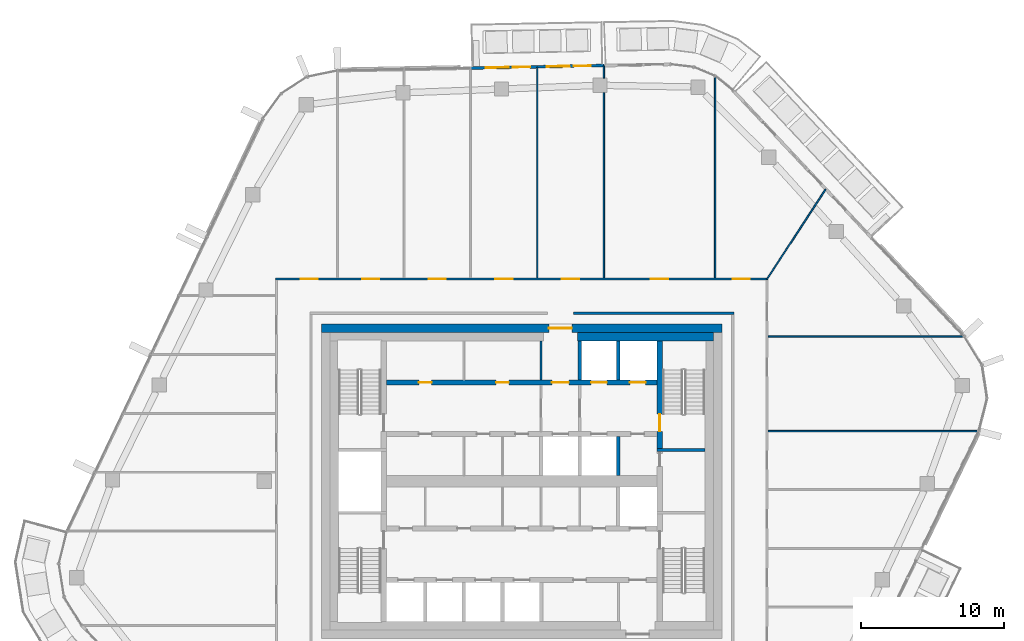
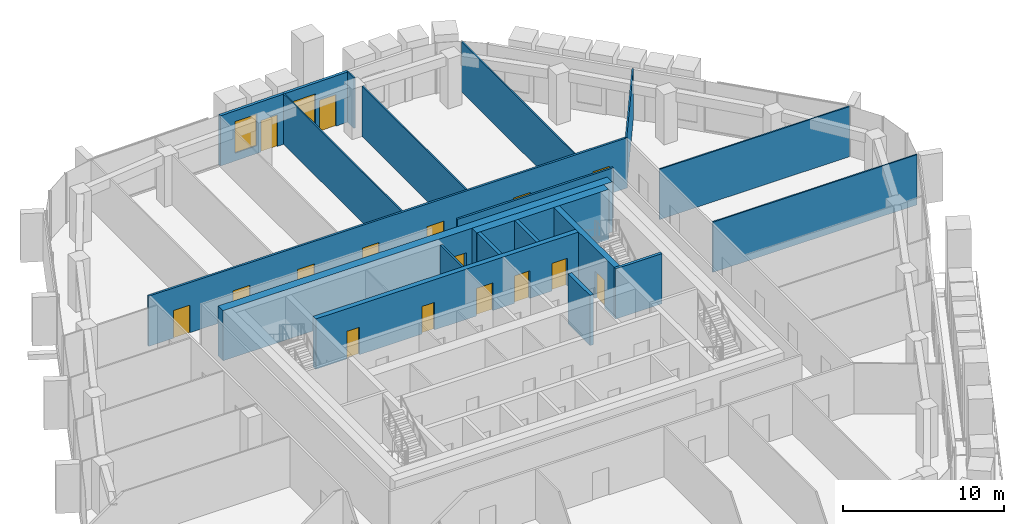
# One storey, part 16 of 24: 19 walls, 16 doors, 2 windows, 18 openings.
"""IFC4 building model written with IfcOpenShell, lengths in metres."""

from ifc_helpers import new_model, si_unit, direction, frame, frame_2d, origin, place, context, subcontext, project, spatial, rectangle, extrude, material, layer, layer_set, type_object, element, fill, save


model = new_model("IFC4")

# Units and contexts
model_context = context("Model", 3, precision=1e-05, world=origin(), true_north=direction((0.0, 1.0)))
body_context = subcontext(model_context, "Body", "Model", "MODEL_VIEW")
ifc_project = project(units=[si_unit("LENGTHUNIT", "METRE"), si_unit("AREAUNIT", "SQUARE_METRE"), si_unit("VOLUMEUNIT", "CUBIC_METRE"), si_unit("PLANEANGLEUNIT", "RADIAN"), si_unit("MASSUNIT", "GRAM", prefix="KILO")], contexts=[model_context])

# Site, building, storey
site_placement = place(None, origin())
site = spatial("IfcSite", under=ifc_project, at=site_placement, CompositionType="ELEMENT")
building_placement = place(site_placement, origin())
building = spatial("IfcBuilding", under=site, at=building_placement, Name="Dongbaek Canopy Tower", CompositionType="ELEMENT")
storey_placement = place(building_placement, frame((0.0, 0.0, 302.60009765625)))
storey = spatial("IfcBuildingStorey", under=building, at=storey_placement, Name="L64", CompositionType="ELEMENT", Elevation=302.60009765625)

# Wall, openings, doors
ifc_material_1 = material(Name="Concrete C60/75", Category="concrete")
ifc_layer_1 = layer(ifc_material_1, 0.35009765625)
ifc_layer_set_1 = layer_set([ifc_layer_1], Name="Core lobby wall 350 Concrete C60/75")
wall_type_1 = type_object("IfcWallType", Name="Core lobby wall 350 Concrete C60/75", PredefinedType="SHEAR", material=ifc_layer_set_1)
wall_1_placement = place(storey_placement, frame((-9.449951171875, 6.89990234375, 0.0), z_axis=(0.0, 0.0, 1.0), x_axis=(1.0, 0.0, 0.0)))
wall_1 = element("IfcWall", 1, at=wall_1_placement, inside=storey, type_object=wall_type_1, Name="Core wall", PredefinedType="SHEAR", context=body_context, shape_type="SweptSolid", body=[
    extrude(rectangle(XDim=18.89990234375, YDim=0.35009765625, at=frame_2d((9.449951171875, 0.0))), origin(), (0.0, 0.0, 1.0), 3.81982421875),
])
opening_1_placement = place(wall_1_placement, frame((11.550048828125, 0.0, 0.0)))
opening_1 = element("IfcOpeningElement", 2, at=opening_1_placement, cuts=wall_1, Name="Opening L64-D028", PredefinedType="OPENING", context=body_context, shape_type="SweptSolid", body=[
    extrude(rectangle(XDim=1.199951171875, YDim=2.10009765625, at=frame_2d((0.60009765625, 1.050048828125))), frame((0.0, 0.18505859375, 0.0), z_axis=(0.0, -1.0, 0.0), x_axis=(1.0, 0.0, 0.0)), (0.0, 0.0, 1.0), 0.3701171875),
])
opening_2_placement = place(wall_1_placement, frame((14.300048828125, 0.0, 0.0)))
opening_2 = element("IfcOpeningElement", 3, at=opening_2_placement, cuts=wall_1, Name="Opening L64-D029", PredefinedType="OPENING", context=body_context, shape_type="SweptSolid", body=[
    extrude(rectangle(XDim=1.10009765625, YDim=2.10009765625, at=frame_2d((0.550048828125, 1.050048828125))), frame((0.0, 0.18505859375, 0.0), z_axis=(0.0, -1.0, 0.0), x_axis=(1.0, 0.0, 0.0)), (0.0, 0.0, 1.0), 0.3701171875),
])
opening_3_placement = place(wall_1_placement, frame((17.0, 0.0, 0.0)))
opening_3 = element("IfcOpeningElement", 4, at=opening_3_placement, cuts=wall_1, Name="Opening L64-D030", PredefinedType="OPENING", context=body_context, shape_type="SweptSolid", body=[
    extrude(rectangle(XDim=1.10009765625, YDim=2.10009765625, at=frame_2d((0.550048828125, 1.050048828125))), frame((0.0, 0.18505859375, 0.0), z_axis=(0.0, -1.0, 0.0), x_axis=(1.0, 0.0, 0.0)), (0.0, 0.0, 1.0), 0.3701171875),
])
opening_4_placement = place(wall_1_placement, frame((2.25, 0.0, 0.0)))
opening_4 = element("IfcOpeningElement", 5, at=opening_4_placement, cuts=wall_1, Name="Opening L64-D041", PredefinedType="OPENING", context=body_context, shape_type="SweptSolid", body=[
    extrude(rectangle(XDim=0.89990234375, YDim=2.10009765625, at=frame_2d((0.449951171875, 1.050048828125))), frame((0.0, 0.18505859375, 0.0), z_axis=(0.0, -1.0, 0.0), x_axis=(1.0, 0.0, 0.0)), (0.0, 0.0, 1.0), 0.3701171875),
])
opening_5_placement = place(wall_1_placement, frame((7.64990234375, 0.0, 0.0)))
opening_5 = element("IfcOpeningElement", 6, at=opening_5_placement, cuts=wall_1, Name="Opening L64-D042", PredefinedType="OPENING", context=body_context, shape_type="SweptSolid", body=[
    extrude(rectangle(XDim=0.89990234375, YDim=2.10009765625, at=frame_2d((0.449951171875, 1.050048828125))), frame((0.0, 0.18505859375, 0.0), z_axis=(0.0, -1.0, 0.0), x_axis=(1.0, 0.0, 0.0)), (0.0, 0.0, 1.0), 0.3701171875),
])
ifc_material_2 = material(Name="Steel", Category="steel")
door_type_1 = type_object("IfcDoorType", Name="Core room door 900 x 2100", OperationType="SINGLE_SWING_LEFT", PredefinedType="DOOR", material=ifc_material_2)
door_1_placement = place(opening_4_placement, origin())
door_1 = element("IfcDoor", 7, at=door_1_placement, inside=storey, type_object=door_type_1, Name="Door L64-D041", OperationType="SINGLE_SWING_RIGHT", OverallHeight=2.10009765625, OverallWidth=0.89990234375, PredefinedType="DOOR", context=body_context, shape_type="SweptSolid", body=[
    extrude(rectangle(XDim=0.89990234375, YDim=2.10009765625, at=frame_2d((0.449951171875, 1.050048828125))), frame((0.0, 0.02490234375, 0.0), z_axis=(0.0, -1.0, 0.0), x_axis=(1.0, 0.0, 0.0)), (0.0, 0.0, 1.0), 0.050048828125),
])
fill(opening_4, door_1)
door_2_placement = place(opening_5_placement, origin())
door_2 = element("IfcDoor", 8, at=door_2_placement, inside=storey, type_object=door_type_1, Name="Door L64-D042", OperationType="SINGLE_SWING_LEFT", OverallHeight=2.10009765625, OverallWidth=0.89990234375, PredefinedType="DOOR", context=body_context, shape_type="SweptSolid", body=[
    extrude(rectangle(XDim=0.89990234375, YDim=2.10009765625, at=frame_2d((0.449951171875, 1.050048828125))), frame((0.0, 0.02490234375, 0.0), z_axis=(0.0, -1.0, 0.0), x_axis=(1.0, 0.0, 0.0)), (0.0, 0.0, 1.0), 0.050048828125),
])
fill(opening_5, door_2)
ifc_material_3 = material(Name="Steel", Category="steel")
door_type_2 = type_object("IfcDoorType", Name="Fire lobby door 1200 x 2100", OperationType="SINGLE_SWING_LEFT", PredefinedType="DOOR", material=ifc_material_3)
door_3_placement = place(opening_1_placement, origin())
door_3 = element("IfcDoor", 9, at=door_3_placement, inside=storey, type_object=door_type_2, Name="Door L64-D028", OperationType="SINGLE_SWING_LEFT", OverallHeight=2.10009765625, OverallWidth=1.199951171875, PredefinedType="DOOR", context=body_context, shape_type="SweptSolid", body=[
    extrude(rectangle(XDim=1.199951171875, YDim=2.10009765625, at=frame_2d((0.60009765625, 1.050048828125))), frame((0.0, 0.02490234375, 0.0), z_axis=(0.0, -1.0, 0.0), x_axis=(1.0, 0.0, 0.0)), (0.0, 0.0, 1.0), 0.050048828125),
])
fill(opening_1, door_3)
ifc_material_4 = material(Name="Stainless steel", Category="steel")
door_type_3 = type_object("IfcDoorType", Name="Lift landing door 1100 x 2100", OperationType="DOUBLE_DOOR_SLIDING", PredefinedType="DOOR", material=ifc_material_4)
door_4_placement = place(opening_2_placement, origin())
door_4 = element("IfcDoor", 10, at=door_4_placement, inside=storey, type_object=door_type_3, Name="Landing door FF1", OperationType="DOUBLE_DOOR_SLIDING", OverallHeight=2.10009765625, OverallWidth=1.10009765625, PredefinedType="DOOR", context=body_context, shape_type="SweptSolid", body=[
    extrude(rectangle(XDim=1.10009765625, YDim=2.10009765625, at=frame_2d((0.550048828125, 1.050048828125))), frame((0.0, 0.02490234375, 0.0), z_axis=(0.0, -1.0, 0.0), x_axis=(1.0, 0.0, 0.0)), (0.0, 0.0, 1.0), 0.050048828125),
])
fill(opening_2, door_4)
door_5_placement = place(opening_3_placement, origin())
door_5 = element("IfcDoor", 11, at=door_5_placement, inside=storey, type_object=door_type_3, Name="Landing door FF2", OperationType="DOUBLE_DOOR_SLIDING", OverallHeight=2.10009765625, OverallWidth=1.10009765625, PredefinedType="DOOR", context=body_context, shape_type="SweptSolid", body=[
    extrude(rectangle(XDim=1.10009765625, YDim=2.10009765625, at=frame_2d((0.550048828125, 1.050048828125))), frame((0.0, 0.02490234375, 0.0), z_axis=(0.0, -1.0, 0.0), x_axis=(1.0, 0.0, 0.0)), (0.0, 0.0, 1.0), 0.050048828125),
])
fill(opening_3, door_5)

# Wall, opening, door
ifc_material_5 = material(Name="Concrete C80/95", Category="concrete")
ifc_layer_2 = layer(ifc_material_5, 0.60009765625)
ifc_layer_set_2 = layer_set([ifc_layer_2], Name="Core outer wall 600 Concrete C80/95")
wall_type_2 = type_object("IfcWallType", Name="Core outer wall 600 Concrete C80/95", PredefinedType="SHEAR", material=ifc_layer_set_2)
wall_2_placement = place(storey_placement, frame((-14.0, 10.699951171875, 0.0), z_axis=(0.0, 0.0, 1.0), x_axis=(1.0, 0.0, 0.0)))
wall_2 = element("IfcWall", 12, at=wall_2_placement, inside=storey, type_object=wall_type_2, Name="Core wall", PredefinedType="SHEAR", context=body_context, shape_type="SweptSolid", body=[
    extrude(rectangle(XDim=28.0, YDim=0.60009765625, at=frame_2d((14.0, 0.0))), origin(), (0.0, 0.0, 1.0), 3.81982421875),
])
opening_6_placement = place(wall_2_placement, frame((15.89990234375, 0.0, 0.0)))
opening_6 = element("IfcOpeningElement", 13, at=opening_6_placement, cuts=wall_2, Name="Opening L64-D027", PredefinedType="OPENING", context=body_context, shape_type="SweptSolid", body=[
    extrude(rectangle(XDim=1.60009765625, YDim=2.10009765625, at=frame_2d((0.800048828125, 1.050048828125))), frame((0.0, 0.31005859375, 0.0), z_axis=(0.0, -1.0, 0.0), x_axis=(1.0, 0.0, 0.0)), (0.0, 0.0, 1.0), 0.6201171875),
])
ifc_material_6 = material(Name="Steel", Category="steel")
door_type_4 = type_object("IfcDoorType", Name="Core exit door 1600 x 2100", OperationType="DOUBLE_DOOR_SINGLE_SWING", PredefinedType="DOOR", material=ifc_material_6)
door_6_placement = place(opening_6_placement, origin())
door_6 = element("IfcDoor", 14, at=door_6_placement, inside=storey, type_object=door_type_4, Name="Core exit door", OperationType="DOUBLE_DOOR_SINGLE_SWING", OverallHeight=2.10009765625, OverallWidth=1.60009765625, PredefinedType="DOOR", context=body_context, shape_type="SweptSolid", body=[
    extrude(rectangle(XDim=1.60009765625, YDim=2.10009765625, at=frame_2d((0.800048828125, 1.050048828125))), frame((0.0, 0.02490234375, 0.0), z_axis=(0.0, -1.0, 0.0), x_axis=(1.0, 0.0, 0.0)), (0.0, 0.0, 1.0), 0.050048828125),
])
fill(opening_6, door_6)

# Walls
ifc_material_7 = material(Name="Concrete C60/75", Category="concrete")
ifc_layer_3 = layer(ifc_material_7, 0.60009765625)
ifc_layer_set_3 = layer_set([ifc_layer_3], Name="Core wall lining 600 Concrete C60/75")
wall_type_3 = type_object("IfcWallType", Name="Core wall lining 600 Concrete C60/75", PredefinedType="SHEAR", material=ifc_layer_set_3)
wall_3_placement = place(storey_placement, frame((3.89990234375, 10.10009765625, 0.0), z_axis=(0.0, 0.0, 1.0), x_axis=(1.0, 0.0, 0.0)))
element("IfcWall", 15, at=wall_3_placement, inside=storey, type_object=wall_type_3, Name="Core wall lining", PredefinedType="SHEAR", context=body_context, shape_type="SweptSolid", body=[
    extrude(rectangle(XDim=9.5, YDim=0.60009765625, at=frame_2d((4.75, 0.0))), origin(), (0.0, 0.0, 1.0), 3.81982421875),
])
ifc_material_8 = material(Name="Gypsum board partition, steel stud, 2 x 15 mm fire board", Category="steel")
ifc_layer_4 = layer(ifc_material_8, 0.14990234375)
ifc_layer_set_4 = layer_set([ifc_layer_4], Name="Fire-rated partition 150 gypsum board")
wall_type_4 = type_object("IfcWallType", Name="Fire-rated partition 150 gypsum board", PredefinedType="PARTITIONING", material=ifc_layer_set_4)
wall_4_placement = place(storey_placement, frame((3.60009765625, 11.75, 0.0), z_axis=(0.0, 0.0, 1.0), x_axis=(1.0, 0.0, 0.0)))
element("IfcWall", 16, at=wall_4_placement, inside=storey, type_object=wall_type_4, Name="Corridor partition", PredefinedType="PARTITIONING", context=body_context, shape_type="SweptSolid", body=[
    extrude(rectangle(XDim=11.224853515625, YDim=0.14990234375, at=frame_2d((5.6123046875, 0.0))), origin(), (0.0, 0.0, 1.0), 3.81982421875),
])

# Wall, openings, doors
wall_5_placement = place(storey_placement, frame((-17.22509765625, 14.14990234375, 0.0), z_axis=(0.0, 0.0, 1.0), x_axis=(1.0, 0.0, 0.0)))
wall_5 = element("IfcWall", 17, at=wall_5_placement, inside=storey, type_object=wall_type_4, Name="Corridor partition", PredefinedType="PARTITIONING", context=body_context, shape_type="SweptSolid", body=[
    extrude(rectangle(XDim=34.4501953125, YDim=0.14990234375, at=frame_2d((17.22509765625, 0.0))), origin(), (0.0, 0.0, 1.0), 3.81982421875),
])
opening_7_placement = place(wall_5_placement, frame((31.9619140625, 0.0, 0.0)))
opening_7 = element("IfcOpeningElement", 18, at=opening_7_placement, cuts=wall_5, Name="Opening L64-D016", PredefinedType="OPENING", context=body_context, shape_type="SweptSolid", body=[
    extrude(rectangle(XDim=1.199951171875, YDim=2.10009765625, at=frame_2d((0.60009765625, 1.050048828125))), frame((0.0, 0.0849609375, 0.0), z_axis=(0.0, -1.0, 0.0), x_axis=(1.0, 0.0, 0.0)), (0.0, 0.0, 1.0), 0.169921875),
])
opening_8_placement = place(wall_5_placement, frame((26.25439453125, 0.0, 0.0)))
opening_8 = element("IfcOpeningElement", 19, at=opening_8_placement, cuts=wall_5, Name="Opening L64-D017", PredefinedType="OPENING", context=body_context, shape_type="SweptSolid", body=[
    extrude(rectangle(XDim=1.199951171875, YDim=2.10009765625, at=frame_2d((0.60009765625, 1.050048828125))), frame((0.0, 0.0849609375, 0.0), z_axis=(0.0, -1.0, 0.0), x_axis=(1.0, 0.0, 0.0)), (0.0, 0.0, 1.0), 0.169921875),
])
opening_9_placement = place(wall_5_placement, frame((20.032470703125, 0.0, 0.0)))
opening_9 = element("IfcOpeningElement", 20, at=opening_9_placement, cuts=wall_5, Name="Opening L64-D018", PredefinedType="OPENING", context=body_context, shape_type="SweptSolid", body=[
    extrude(rectangle(XDim=1.199951171875, YDim=2.10009765625, at=frame_2d((0.60009765625, 1.050048828125))), frame((0.0, 0.0849609375, 0.0), z_axis=(0.0, -1.0, 0.0), x_axis=(1.0, 0.0, 0.0)), (0.0, 0.0, 1.0), 0.169921875),
])
opening_10_placement = place(wall_5_placement, frame((15.377685546875, 0.0, 0.0)))
opening_10 = element("IfcOpeningElement", 21, at=opening_10_placement, cuts=wall_5, Name="Opening L64-D019", PredefinedType="OPENING", context=body_context, shape_type="SweptSolid", body=[
    extrude(rectangle(XDim=1.199951171875, YDim=2.10009765625, at=frame_2d((0.60009765625, 1.050048828125))), frame((0.0, 0.0849609375, 0.0), z_axis=(0.0, -1.0, 0.0), x_axis=(1.0, 0.0, 0.0)), (0.0, 0.0, 1.0), 0.169921875),
])
opening_11_placement = place(wall_5_placement, frame((10.72265625, 0.0, 0.0)))
opening_11 = element("IfcOpeningElement", 22, at=opening_11_placement, cuts=wall_5, Name="Opening L64-D020", PredefinedType="OPENING", context=body_context, shape_type="SweptSolid", body=[
    extrude(rectangle(XDim=1.199951171875, YDim=2.10009765625, at=frame_2d((0.60009765625, 1.050048828125))), frame((0.0, 0.0849609375, 0.0), z_axis=(0.0, -1.0, 0.0), x_axis=(1.0, 0.0, 0.0)), (0.0, 0.0, 1.0), 0.169921875),
])
opening_12_placement = place(wall_5_placement, frame((6.072509765625, 0.0, 0.0)))
opening_12 = element("IfcOpeningElement", 23, at=opening_12_placement, cuts=wall_5, Name="Opening L64-D021", PredefinedType="OPENING", context=body_context, shape_type="SweptSolid", body=[
    extrude(rectangle(XDim=1.199951171875, YDim=2.10009765625, at=frame_2d((0.60009765625, 1.050048828125))), frame((0.0, 0.0849609375, 0.0), z_axis=(0.0, -1.0, 0.0), x_axis=(1.0, 0.0, 0.0)), (0.0, 0.0, 1.0), 0.169921875),
])
opening_13_placement = place(wall_5_placement, frame((1.773681640625, 0.0, 0.0)))
opening_13 = element("IfcOpeningElement", 24, at=opening_13_placement, cuts=wall_5, Name="Opening L64-D022", PredefinedType="OPENING", context=body_context, shape_type="SweptSolid", body=[
    extrude(rectangle(XDim=1.199951171875, YDim=2.10009765625, at=frame_2d((0.60009765625, 1.050048828125))), frame((0.0, 0.0849609375, 0.0), z_axis=(0.0, -1.0, 0.0), x_axis=(1.0, 0.0, 0.0)), (0.0, 0.0, 1.0), 0.169921875),
])
ifc_material_9 = material(Name="Timber veneered door leaf", Category="wood")
door_type_5 = type_object("IfcDoorType", Name="Room door 1200 x 2100", OperationType="SINGLE_SWING_LEFT", PredefinedType="DOOR", material=ifc_material_9)
door_7_placement = place(opening_7_placement, origin())
door_7 = element("IfcDoor", 25, at=door_7_placement, inside=storey, type_object=door_type_5, Name="Door L64-D016", OperationType="SINGLE_SWING_LEFT", OverallHeight=2.10009765625, OverallWidth=1.199951171875, PredefinedType="DOOR", context=body_context, shape_type="SweptSolid", body=[
    extrude(rectangle(XDim=1.199951171875, YDim=2.10009765625, at=frame_2d((0.60009765625, 1.050048828125))), frame((0.0, 0.02490234375, 0.0), z_axis=(0.0, -1.0, 0.0), x_axis=(1.0, 0.0, 0.0)), (0.0, 0.0, 1.0), 0.050048828125),
])
fill(opening_7, door_7)
door_8_placement = place(opening_8_placement, origin())
door_8 = element("IfcDoor", 26, at=door_8_placement, inside=storey, type_object=door_type_5, Name="Door L64-D017", OperationType="SINGLE_SWING_RIGHT", OverallHeight=2.10009765625, OverallWidth=1.199951171875, PredefinedType="DOOR", context=body_context, shape_type="SweptSolid", body=[
    extrude(rectangle(XDim=1.199951171875, YDim=2.10009765625, at=frame_2d((0.60009765625, 1.050048828125))), frame((0.0, 0.02490234375, 0.0), z_axis=(0.0, -1.0, 0.0), x_axis=(1.0, 0.0, 0.0)), (0.0, 0.0, 1.0), 0.050048828125),
])
fill(opening_8, door_8)
door_9_placement = place(opening_9_placement, origin())
door_9 = element("IfcDoor", 27, at=door_9_placement, inside=storey, type_object=door_type_5, Name="Door L64-D018", OperationType="SINGLE_SWING_LEFT", OverallHeight=2.10009765625, OverallWidth=1.199951171875, PredefinedType="DOOR", context=body_context, shape_type="SweptSolid", body=[
    extrude(rectangle(XDim=1.199951171875, YDim=2.10009765625, at=frame_2d((0.60009765625, 1.050048828125))), frame((0.0, 0.02490234375, 0.0), z_axis=(0.0, -1.0, 0.0), x_axis=(1.0, 0.0, 0.0)), (0.0, 0.0, 1.0), 0.050048828125),
])
fill(opening_9, door_9)
door_10_placement = place(opening_10_placement, origin())
door_10 = element("IfcDoor", 28, at=door_10_placement, inside=storey, type_object=door_type_5, Name="Door L64-D019", OperationType="SINGLE_SWING_RIGHT", OverallHeight=2.10009765625, OverallWidth=1.199951171875, PredefinedType="DOOR", context=body_context, shape_type="SweptSolid", body=[
    extrude(rectangle(XDim=1.199951171875, YDim=2.10009765625, at=frame_2d((0.60009765625, 1.050048828125))), frame((0.0, 0.02490234375, 0.0), z_axis=(0.0, -1.0, 0.0), x_axis=(1.0, 0.0, 0.0)), (0.0, 0.0, 1.0), 0.050048828125),
])
fill(opening_10, door_10)
door_11_placement = place(opening_11_placement, origin())
door_11 = element("IfcDoor", 29, at=door_11_placement, inside=storey, type_object=door_type_5, Name="Door L64-D020", OperationType="SINGLE_SWING_LEFT", OverallHeight=2.10009765625, OverallWidth=1.199951171875, PredefinedType="DOOR", context=body_context, shape_type="SweptSolid", body=[
    extrude(rectangle(XDim=1.199951171875, YDim=2.10009765625, at=frame_2d((0.60009765625, 1.050048828125))), frame((0.0, 0.02490234375, 0.0), z_axis=(0.0, -1.0, 0.0), x_axis=(1.0, 0.0, 0.0)), (0.0, 0.0, 1.0), 0.050048828125),
])
fill(opening_11, door_11)
door_12_placement = place(opening_12_placement, origin())
door_12 = element("IfcDoor", 30, at=door_12_placement, inside=storey, type_object=door_type_5, Name="Door L64-D021", OperationType="SINGLE_SWING_RIGHT", OverallHeight=2.10009765625, OverallWidth=1.199951171875, PredefinedType="DOOR", context=body_context, shape_type="SweptSolid", body=[
    extrude(rectangle(XDim=1.199951171875, YDim=2.10009765625, at=frame_2d((0.60009765625, 1.050048828125))), frame((0.0, 0.02490234375, 0.0), z_axis=(0.0, -1.0, 0.0), x_axis=(1.0, 0.0, 0.0)), (0.0, 0.0, 1.0), 0.050048828125),
])
fill(opening_12, door_12)
door_13_placement = place(opening_13_placement, origin())
door_13 = element("IfcDoor", 31, at=door_13_placement, inside=storey, type_object=door_type_5, Name="Door L64-D022", OperationType="SINGLE_SWING_LEFT", OverallHeight=2.10009765625, OverallWidth=1.199951171875, PredefinedType="DOOR", context=body_context, shape_type="SweptSolid", body=[
    extrude(rectangle(XDim=1.199951171875, YDim=2.10009765625, at=frame_2d((0.60009765625, 1.050048828125))), frame((0.0, 0.02490234375, 0.0), z_axis=(0.0, -1.0, 0.0), x_axis=(1.0, 0.0, 0.0)), (0.0, 0.0, 1.0), 0.050048828125),
])
fill(opening_13, door_13)

# Walls
wall_6_placement = place(storey_placement, frame((1.35009765625, 7.074951171875, 0.0), z_axis=(0.0, 0.0, 1.0), x_axis=(0.0, 1.0, 0.0)))
element("IfcWall", 32, at=wall_6_placement, inside=storey, type_object=wall_type_4, Name="Fire lobby partition", PredefinedType="PARTITIONING", context=body_context, shape_type="SweptSolid", body=[
    extrude(rectangle(XDim=2.72509765625, YDim=0.14990234375, at=frame_2d((1.362548828125, 0.0))), origin(), (0.0, 0.0, 1.0), 3.81982421875),
])
ifc_material_10 = material(Name="Concrete C40/50", Category="concrete")
ifc_layer_5 = layer(ifc_material_10, 0.25)
ifc_layer_set_5 = layer_set([ifc_layer_5], Name="Lift shaft wall 250 Concrete C40/50")
wall_type_5 = type_object("IfcWallType", Name="Lift shaft wall 250 Concrete C40/50", PredefinedType="SOLIDWALL", material=ifc_layer_set_5)
for number, where, z_axis, x_axis, name in (
    (33, (6.75, 0.39990234375, 0.0), (0.0, 0.0, 1.0), (0.0, 1.0, 0.0), "Lift shaft wall"),
    (34, (6.75, 7.074951171875, 0.0), (0.0, 0.0, 1.0), (0.0, 1.0, 0.0), "Lift shaft wall"),
    (35, (4.050048828125, 7.074951171875, 0.0), (0.0, 0.0, 1.0), (0.0, 1.0, 0.0), "Lift shaft wall"),
):
    element("IfcWall", number, at=place(storey_placement, frame(where, z_axis=z_axis, x_axis=x_axis)), inside=storey, type_object=wall_type_5, Name=name, PredefinedType="SOLIDWALL", context=body_context, shape_type="SweptSolid", body=[
        extrude(rectangle(XDim=2.72509765625, YDim=0.25, at=frame_2d((1.362548828125, 0.0))), origin(), (0.0, 0.0, 1.0), 3.81982421875),
    ])
ifc_material_11 = material(Name="Gypsum board partition, steel stud, 2 x 12.5 mm board", Category="steel")
ifc_layer_6 = layer(ifc_material_11, 0.10009765625)
ifc_layer_set_6 = layer_set([ifc_layer_6], Name="Partition 100 gypsum board")
wall_type_6 = type_object("IfcWallType", Name="Partition 100 gypsum board", PredefinedType="PARTITIONING", material=ifc_layer_set_6)
wall_7_placement = place(storey_placement, frame((17.22509765625, 3.510986328125, 0.0), z_axis=(0.0, 0.0, 1.0), x_axis=(1.0, 0.0, 0.0)))
element("IfcWall", 36, at=wall_7_placement, inside=storey, type_object=wall_type_6, Name="Partition", PredefinedType="PARTITIONING", context=body_context, shape_type="SweptSolid", body=[
    extrude(rectangle(XDim=14.696044921875, YDim=0.10009765625, at=frame_2d((7.34814453125, 0.0))), origin(), (0.0, 0.0, 1.0), 3.81982421875),
])
wall_8_placement = place(storey_placement, frame((17.22509765625, 10.139892578125, 0.0), z_axis=(0.0, 0.0, 1.0), x_axis=(1.0, 0.0, 0.0)))
element("IfcWall", 37, at=wall_8_placement, inside=storey, type_object=wall_type_6, Name="Partition", PredefinedType="PARTITIONING", context=body_context, shape_type="SweptSolid", body=[
    extrude(rectangle(XDim=13.677490234375, YDim=0.10009765625, at=frame_2d((6.8388671875, 0.0))), origin(), (0.0, 0.0, 1.0), 3.81982421875),
])
wall_9_placement = place(storey_placement, frame((17.150390625, 14.14990234375, 0.0), z_axis=(0.0, 0.0, 1.0), x_axis=(0.547120172247, 0.837054070608, 0.0)))
element("IfcWall", 38, at=wall_9_placement, inside=storey, type_object=wall_type_6, Name="Partition", PredefinedType="PARTITIONING", context=body_context, shape_type="SweptSolid", body=[
    extrude(rectangle(XDim=7.485107421875, YDim=0.10009765625, at=frame_2d((3.74267578125, 0.0))), origin(), (0.0, 0.0, 1.0), 3.81982421875),
])
wall_10_placement = place(storey_placement, frame((13.52392578125, 14.22509765625, 0.0), z_axis=(0.0, 0.0, 1.0), x_axis=(0.0, 1.0, 0.0)))
element("IfcWall", 39, at=wall_10_placement, inside=storey, type_object=wall_type_6, Name="Partition", PredefinedType="PARTITIONING", context=body_context, shape_type="SweptSolid", body=[
    extrude(rectangle(XDim=14.076904296875, YDim=0.10009765625, at=frame_2d((7.03857421875, 0.0))), origin(), (0.0, 0.0, 1.0), 3.81982421875),
])
wall_11_placement = place(storey_placement, frame((5.735107421875, 14.22509765625, 0.0), z_axis=(0.0, 0.0, 1.0), x_axis=(0.0, 1.0, 0.0)))
element("IfcWall", 40, at=wall_11_placement, inside=storey, type_object=wall_type_6, Name="Partition", PredefinedType="PARTITIONING", context=body_context, shape_type="SweptSolid", body=[
    extrude(rectangle(XDim=12.966796875, YDim=0.10009765625, at=frame_2d((6.4833984375, 0.0))), origin(), (0.0, 0.0, 1.0), 3.81982421875),
])
wall_12_placement = place(storey_placement, frame((5.735107421875, 28.19189453125, 0.0), z_axis=(0.0, 0.0, 1.0), x_axis=(0.0, 1.0, 0.0)))
element("IfcWall", 41, at=wall_12_placement, inside=storey, type_object=wall_type_6, Name="Partition", PredefinedType="PARTITIONING", context=body_context, shape_type="SweptSolid", body=[
    extrude(rectangle(XDim=0.86083984375, YDim=0.10009765625, at=frame_2d((0.430419921875, 0.0))), origin(), (0.0, 0.0, 1.0), 3.81982421875),
])
wall_13_placement = place(storey_placement, frame((1.080078125, 14.22509765625, 0.0), z_axis=(0.0, 0.0, 1.0), x_axis=(0.0, 1.0, 0.0)))
element("IfcWall", 42, at=wall_13_placement, inside=storey, type_object=wall_type_6, Name="Partition", PredefinedType="PARTITIONING", context=body_context, shape_type="SweptSolid", body=[
    extrude(rectangle(XDim=14.739501953125, YDim=0.10009765625, at=frame_2d((7.36962890625, 0.0))), origin(), (0.0, 0.0, 1.0), 3.81982421875),
])
ifc_material_12 = material(Name="Concrete C60/75", Category="concrete")
ifc_layer_7 = layer(ifc_material_12, 0.199951171875)
ifc_layer_set_7 = layer_set([ifc_layer_7], Name="Riser wall 200 Concrete C60/75")
wall_type_7 = type_object("IfcWallType", Name="Riser wall 200 Concrete C60/75", PredefinedType="SHEAR", material=ifc_layer_set_7)
wall_14_placement = place(storey_placement, frame((9.449951171875, 2.199951171875, 0.0), z_axis=(0.0, 0.0, 1.0), x_axis=(1.0, 0.0, 0.0)))
element("IfcWall", 43, at=wall_14_placement, inside=storey, type_object=wall_type_7, Name="Riser wall", PredefinedType="SHEAR", context=body_context, shape_type="SweptSolid", body=[
    extrude(rectangle(XDim=3.35009765625, YDim=0.199951171875, at=frame_2d((1.675048828125, 0.0))), origin(), (0.0, 0.0, 1.0), 3.81982421875),
])

# Wall, opening, door
ifc_material_13 = material(Name="Concrete C60/75", Category="concrete")
ifc_layer_8 = layer(ifc_material_13, 0.39990234375)
ifc_layer_set_8 = layer_set([ifc_layer_8], Name="Stair wall 400 Concrete C60/75")
wall_type_8 = type_object("IfcWallType", Name="Stair wall 400 Concrete C60/75", PredefinedType="SHEAR", material=ifc_layer_set_8)
wall_15_placement = place(storey_placement, frame((9.64990234375, 9.800048828125, 0.0), z_axis=(0.0, 0.0, 1.0), x_axis=(0.0, -1.0, 0.0)))
wall_15 = element("IfcWall", 44, at=wall_15_placement, inside=storey, type_object=wall_type_8, Name="Stair wall", PredefinedType="SHEAR", context=body_context, shape_type="SweptSolid", body=[
    extrude(rectangle(XDim=7.5, YDim=0.39990234375, at=frame_2d((3.75, 0.0))), origin(), (0.0, 0.0, 1.0), 3.81982421875),
])
opening_14_placement = place(wall_15_placement, frame((5.10009765625, 0.0, 0.0)))
opening_14 = element("IfcOpeningElement", 45, at=opening_14_placement, cuts=wall_15, Name="Opening L64-D052", PredefinedType="OPENING", context=body_context, shape_type="SweptSolid", body=[
    extrude(rectangle(XDim=1.199951171875, YDim=2.10009765625, at=frame_2d((0.60009765625, 1.050048828125))), frame((0.0, 0.2099609375, 0.0), z_axis=(0.0, -1.0, 0.0), x_axis=(1.0, 0.0, 0.0)), (0.0, 0.0, 1.0), 0.419921875),
])
ifc_material_14 = material(Name="Steel", Category="steel")
door_type_6 = type_object("IfcDoorType", Name="Stair door 1200 x 2100", OperationType="SINGLE_SWING_LEFT", PredefinedType="DOOR", material=ifc_material_14)
door_14_placement = place(opening_14_placement, origin())
door_14 = element("IfcDoor", 46, at=door_14_placement, inside=storey, type_object=door_type_6, Name="Stair A door", OperationType="SINGLE_SWING_LEFT", OverallHeight=2.10009765625, OverallWidth=1.199951171875, PredefinedType="DOOR", context=body_context, shape_type="SweptSolid", body=[
    extrude(rectangle(XDim=1.199951171875, YDim=2.10009765625, at=frame_2d((0.60009765625, 1.050048828125))), frame((0.0, 0.02490234375, 0.0), z_axis=(0.0, -1.0, 0.0), x_axis=(1.0, 0.0, 0.0)), (0.0, 0.0, 1.0), 0.050048828125),
])
fill(opening_14, door_14)

# Wall, openings, doors, windows
ifc_material_15 = material(Name="Aluminium window wall", Category="aluminium")
ifc_layer_9 = layer(ifc_material_15, 0.199951171875)
ifc_layer_set_9 = layer_set([ifc_layer_9], Name="Window wall 200")
wall_type_9 = type_object("IfcWallType", Name="Window wall 200", PredefinedType="SOLIDWALL", material=ifc_layer_set_9)
wall_16_placement = place(storey_placement, frame((5.73486328125, 29.07275390625, 0.0), z_axis=(0.0, 0.0, 1.0), x_axis=(-0.999821300983, -0.01890412918, 0.0)))
wall_16 = element("IfcWall", 47, at=wall_16_placement, inside=storey, type_object=wall_type_9, Name="Window wall L64 2", PredefinedType="SOLIDWALL", context=body_context, shape_type="SweptSolid", body=[
    extrude(rectangle(XDim=9.3115234375, YDim=0.199951171875, at=frame_2d((4.65576171875, 0.0))), origin(), (0.0, 0.0, 1.0), 3.81982421875),
])
opening_15_placement = place(wall_16_placement, frame((2.39990234375, 0.0, 0.60009765625)))
opening_15 = element("IfcOpeningElement", 48, at=opening_15_placement, cuts=wall_16, Name="Opening W1", PredefinedType="OPENING", context=body_context, shape_type="SweptSolid", body=[
    extrude(rectangle(XDim=1.60009765625, YDim=2.39990234375, at=frame_2d((0.800048828125, 1.199951171875))), frame((0.0, 0.10986328125, 0.0), z_axis=(0.0, -1.0, 0.0), x_axis=(1.0, 0.0, 0.0)), (0.0, 0.0, 1.0), 0.219970703125),
])
opening_16_placement = place(wall_16_placement, frame((0.89990234375, 0.0, 0.0)))
opening_16 = element("IfcOpeningElement", 49, at=opening_16_placement, cuts=wall_16, Name="Opening L64-B04", PredefinedType="OPENING", context=body_context, shape_type="SweptSolid", body=[
    extrude(rectangle(XDim=1.199951171875, YDim=2.39990234375, at=frame_2d((0.60009765625, 1.199951171875))), frame((0.0, 0.10986328125, 0.0), z_axis=(0.0, -1.0, 0.0), x_axis=(1.0, 0.0, 0.0)), (0.0, 0.0, 1.0), 0.219970703125),
])
opening_17_placement = place(wall_16_placement, frame((6.65576171875, 0.0, 0.60009765625)))
opening_17 = element("IfcOpeningElement", 50, at=opening_17_placement, cuts=wall_16, Name="Opening W1", PredefinedType="OPENING", context=body_context, shape_type="SweptSolid", body=[
    extrude(rectangle(XDim=1.60009765625, YDim=2.39990234375, at=frame_2d((0.800048828125, 1.199951171875))), frame((0.0, 0.10986328125, 0.0), z_axis=(0.0, -1.0, 0.0), x_axis=(1.0, 0.0, 0.0)), (0.0, 0.0, 1.0), 0.219970703125),
])
opening_18_placement = place(wall_16_placement, frame((5.15576171875, 0.0, 0.0)))
opening_18 = element("IfcOpeningElement", 51, at=opening_18_placement, cuts=wall_16, Name="Opening L64-B05", PredefinedType="OPENING", context=body_context, shape_type="SweptSolid", body=[
    extrude(rectangle(XDim=1.199951171875, YDim=2.39990234375, at=frame_2d((0.60009765625, 1.199951171875))), frame((0.0, 0.10986328125, 0.0), z_axis=(0.0, -1.0, 0.0), x_axis=(1.0, 0.0, 0.0)), (0.0, 0.0, 1.0), 0.219970703125),
])
ifc_material_16 = material(Name="Clear glazing in aluminium frame", Category="aluminium")
door_type_7 = type_object("IfcDoorType", Name="Balcony door BD1 1200 x 2400", OperationType="SLIDING_TO_LEFT", PredefinedType="DOOR", material=ifc_material_16)
door_15_placement = place(opening_16_placement, origin())
door_15 = element("IfcDoor", 52, at=door_15_placement, inside=storey, type_object=door_type_7, Name="Balcony door L64-B04", OperationType="SLIDING_TO_LEFT", OverallHeight=2.39990234375, OverallWidth=1.199951171875, PredefinedType="DOOR", context=body_context, shape_type="SweptSolid", body=[
    extrude(rectangle(XDim=1.199951171875, YDim=2.39990234375, at=frame_2d((0.60009765625, 1.199951171875))), frame((0.0, 0.02490234375, 0.0), z_axis=(0.0, -1.0, 0.0), x_axis=(1.0, 0.0, 0.0)), (0.0, 0.0, 1.0), 0.050048828125),
])
fill(opening_16, door_15)
door_16_placement = place(opening_18_placement, origin())
door_16 = element("IfcDoor", 53, at=door_16_placement, inside=storey, type_object=door_type_7, Name="Balcony door L64-B05", OperationType="SLIDING_TO_LEFT", OverallHeight=2.39990234375, OverallWidth=1.199951171875, PredefinedType="DOOR", context=body_context, shape_type="SweptSolid", body=[
    extrude(rectangle(XDim=1.199951171875, YDim=2.39990234375, at=frame_2d((0.60009765625, 1.199951171875))), frame((0.0, 0.02490234375, 0.0), z_axis=(0.0, -1.0, 0.0), x_axis=(1.0, 0.0, 0.0)), (0.0, 0.0, 1.0), 0.050048828125),
])
fill(opening_18, door_16)
ifc_material_17 = material(Name="Clear glazing in aluminium frame", Category="aluminium")
window_type = type_object("IfcWindowType", Name="Window W1 1600 x 2400", PartitioningType="SINGLE_PANEL", PredefinedType="WINDOW", material=ifc_material_17)
window_1_placement = place(opening_15_placement, origin())
window_1 = element("IfcWindow", 54, at=window_1_placement, inside=storey, type_object=window_type, Name="Window L64 2.1", OverallHeight=2.39990234375, OverallWidth=1.60009765625, PartitioningType="SINGLE_PANEL", PredefinedType="WINDOW", context=body_context, shape_type="SweptSolid", body=[
    extrude(rectangle(XDim=1.60009765625, YDim=2.39990234375, at=frame_2d((0.800048828125, 1.199951171875))), frame((0.0, 0.030029296875, 0.0), z_axis=(0.0, -1.0, 0.0), x_axis=(1.0, 0.0, 0.0)), (0.0, 0.0, 1.0), 0.06005859375),
])
fill(opening_15, window_1)
window_2_placement = place(opening_17_placement, origin())
window_2 = element("IfcWindow", 55, at=window_2_placement, inside=storey, type_object=window_type, Name="Window L64 2.2", OverallHeight=2.39990234375, OverallWidth=1.60009765625, PartitioningType="SINGLE_PANEL", PredefinedType="WINDOW", context=body_context, shape_type="SweptSolid", body=[
    extrude(rectangle(XDim=1.60009765625, YDim=2.39990234375, at=frame_2d((0.800048828125, 1.199951171875))), frame((0.0, 0.030029296875, 0.0), z_axis=(0.0, -1.0, 0.0), x_axis=(1.0, 0.0, 0.0)), (0.0, 0.0, 1.0), 0.06005859375),
])
fill(opening_17, window_2)

save(model, "model.ifc")
